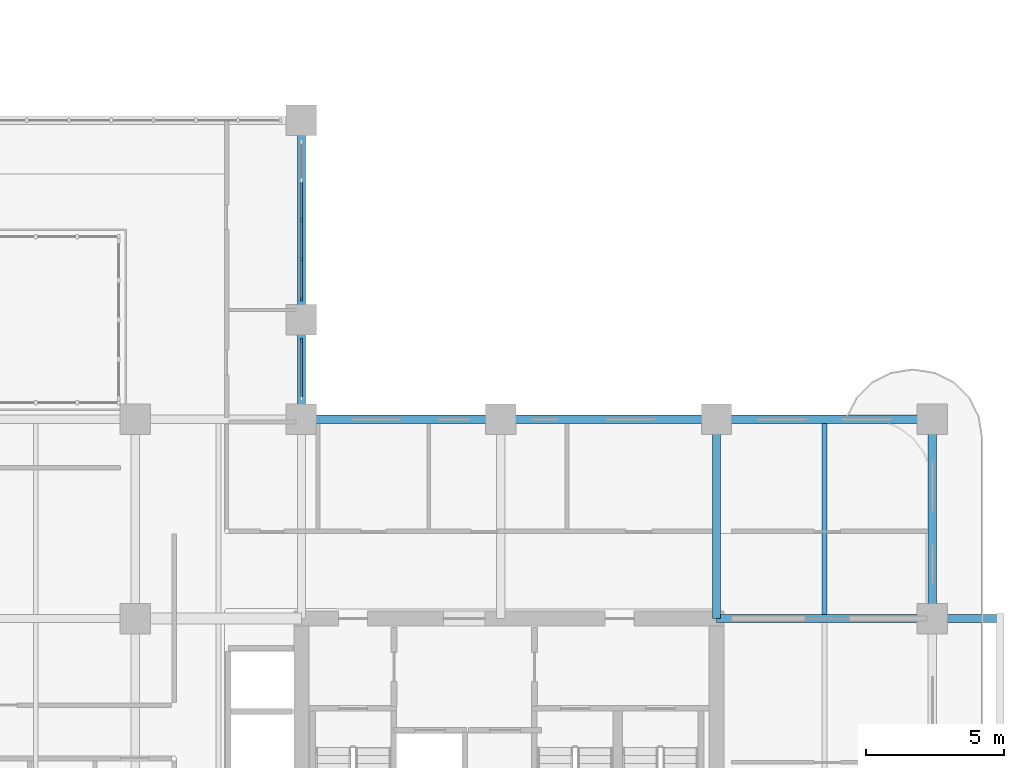
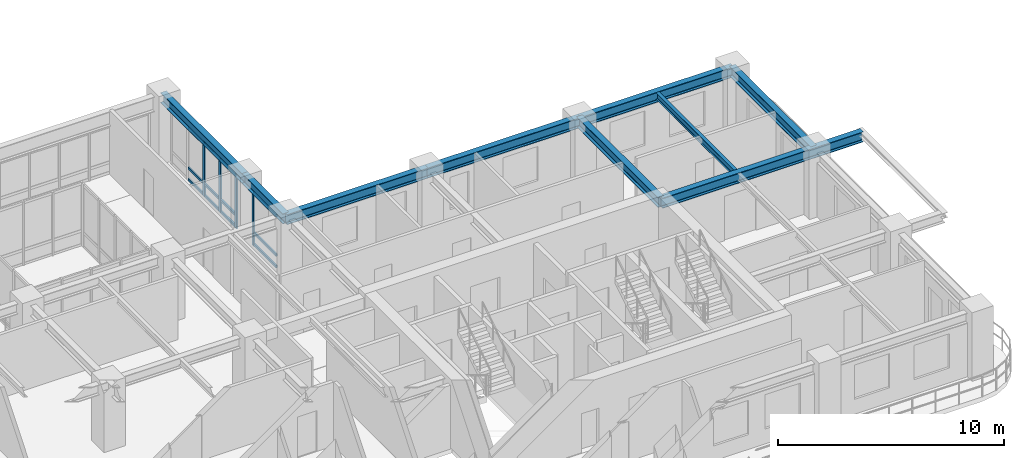
# One storey, part 5 of 22: 16 members, 9 beams, 2 elements without a shape of their own.
"""IFC4 building model written with IfcOpenShell, lengths in metres."""

from ifc_helpers import new_model, si_unit, derived_unit, direction, frame, origin, origin_2d, place, context, subcontext, project, spatial, rectangle, i_section, extrude, source, transform, mapped, material, layer, layer_set, material_profile, profile_set, type_object, type_shapes, element, aggregate, save


model = new_model("IFC4")

# Units and contexts
model_context = context("Model", 3, precision=1e-05, world=origin(), true_north=direction((0.0, 1.0)))
body_context = subcontext(model_context, "Body", "Model", "MODEL_VIEW")
ifc_project = project(units=[si_unit("LENGTHUNIT", "METRE"), si_unit("AREAUNIT", "SQUARE_METRE"), si_unit("VOLUMEUNIT", "CUBIC_METRE"), si_unit("PLANEANGLEUNIT", "RADIAN"), si_unit("MASSUNIT", "GRAM", prefix="KILO"), si_unit("THERMODYNAMICTEMPERATUREUNIT", "KELVIN"), si_unit("POWERUNIT", "WATT"), derived_unit("THERMALTRANSMITTANCEUNIT", [(si_unit("POWERUNIT", "WATT"), 1), (si_unit("AREAUNIT", "SQUARE_METRE"), -1), (si_unit("THERMODYNAMICTEMPERATUREUNIT", "KELVIN"), -1)])], contexts=[model_context])

# Site, building, storey
site_placement = place(None, origin())
site = spatial("IfcSite", under=ifc_project, at=site_placement, CompositionType="ELEMENT")
building_placement = place(site_placement, origin())
building = spatial("IfcBuilding", under=site, at=building_placement, Name="Zahravan Archway Hotel and Residences", CompositionType="ELEMENT")
storey_placement = place(building_placement, frame((0.0, 0.0, 73.10009765625)))
storey = spatial("IfcBuildingStorey", under=building, at=storey_placement, Name="L17", CompositionType="ELEMENT", Elevation=73.10009765625)

# Beams
ifc_material_1 = material(Name="Structural Steel S355JR", Category="steel")
ifc_material_profile_1 = material_profile(ifc_material_1, i_section(OverallWidth=0.300048828125, OverallDepth=0.550048828125, WebThickness=0.014892578125, FlangeThickness=0.029052734375, FilletRadius=0.027099609375, at=origin_2d()), Name="HEB 550", Category="steel")
ifc_profile_set_1 = profile_set([ifc_material_profile_1], Name="Structural Steel S355JR")
beam_type_1 = type_object("IfcBeamType", Name="BM-PRI-HEB550", PredefinedType="BEAM", material=ifc_profile_set_1)
shared_shape_1 = source(origin(), body_context, "Body", "SweptSolid", [
    extrude(i_section(OverallWidth=0.300048828125, OverallDepth=0.550048828125, WebThickness=0.014892578125, FlangeThickness=0.029052734375, FilletRadius=0.027099609375, at=origin_2d()), origin(), (0.0, 0.0, 1.0), 7.2001953125),
])
type_shapes(beam_type_1, [shared_shape_1])
for number, where, z_axis, x_axis, name in (
    (1, (49.800048828125, 14.39990234375, 3.1748046875), (0.0, 1.0, 0.0), (-1.0, 0.0, 0.0), "L17 Primary Girder NS-49"),
    (2, (57.60009765625, 14.39990234375, 3.1748046875), (0.0, 1.0, 0.0), (-1.0, 0.0, 0.0), "L17 Primary Girder NS-52"),
):
    element("IfcBeam", number, at=place(storey_placement, frame(where, z_axis=z_axis, x_axis=x_axis)), inside=storey, type_object=beam_type_1, Name=name, PredefinedType="BEAM", context=body_context, shape_type="MappedRepresentation", body=[
        mapped(shared_shape_1, transform((0.0, 0.0, 0.0), scale=1.0)),
    ])
shared_shape_2 = source(origin(), body_context, "Body", "SweptSolid", [
    extrude(i_section(OverallWidth=0.300048828125, OverallDepth=0.550048828125, WebThickness=0.014892578125, FlangeThickness=0.029052734375, FilletRadius=0.027099609375, at=origin_2d()), origin(), (0.0, 0.0, 1.0), 7.199951171875),
])
for number, where, z_axis, x_axis, name in (
    (3, (34.800048828125, 21.60009765625, 3.1748046875), (1.0, 0.0, 0.0), (0.0, 1.0, 0.0), "L17 Primary Girder EW-17"),
    (4, (34.800048828125, 25.199951171875, 3.1748046875), (0.0, 1.0, 0.0), (-1.0, 0.0, 0.0), "L17 Primary Girder NS-47"),
):
    element("IfcBeam", number, at=place(storey_placement, frame(where, z_axis=z_axis, x_axis=x_axis)), inside=storey, type_object=beam_type_1, Name=name, PredefinedType="BEAM", context=body_context, shape_type="MappedRepresentation", body=[
        mapped(shared_shape_2, transform((0.0, 0.0, 0.0), scale=1.0)),
    ])
shared_shape_3 = source(origin(), body_context, "Body", "SweptSolid", [
    extrude(i_section(OverallWidth=0.300048828125, OverallDepth=0.550048828125, WebThickness=0.014892578125, FlangeThickness=0.029052734375, FilletRadius=0.027099609375, at=origin_2d()), origin(), (0.0, 0.0, 1.0), 7.800048828125),
])
for number, where, z_axis, x_axis, name in (
    (5, (42.0, 21.60009765625, 3.1748046875), (1.0, 0.0, 0.0), (0.0, 1.0, 0.0), "L17 Primary Girder EW-18"),
    (6, (49.800048828125, 21.60009765625, 3.1748046875), (1.0, 0.0, 0.0), (0.0, 1.0, 0.0), "L17 Primary Girder EW-19"),
):
    element("IfcBeam", number, at=place(storey_placement, frame(where, z_axis=z_axis, x_axis=x_axis)), inside=storey, type_object=beam_type_1, Name=name, PredefinedType="BEAM", context=body_context, shape_type="MappedRepresentation", body=[
        mapped(shared_shape_3, transform((0.0, 0.0, 0.0), scale=1.0)),
    ])
shared_shape_4 = source(origin(), body_context, "Body", "SweptSolid", [
    extrude(i_section(OverallWidth=0.300048828125, OverallDepth=0.550048828125, WebThickness=0.014892578125, FlangeThickness=0.029052734375, FilletRadius=0.027099609375, at=origin_2d()), origin(), (0.0, 0.0, 1.0), 3.599853515625),
])
beam_1_placement = place(storey_placement, frame((34.800048828125, 21.60009765625, 3.1748046875), z_axis=(0.0, 1.0, 0.0), x_axis=(-1.0, 0.0, 0.0)))
element("IfcBeam", 7, at=beam_1_placement, inside=storey, type_object=beam_type_1, Name="L17 Primary Girder NS-46", PredefinedType="BEAM", context=body_context, shape_type="MappedRepresentation", body=[
    mapped(shared_shape_4, transform((0.0, 0.0, 0.0), scale=1.0)),
])
shared_shape_5 = source(origin(), body_context, "Body", "SweptSolid", [
    extrude(i_section(OverallWidth=0.300048828125, OverallDepth=0.550048828125, WebThickness=0.014892578125, FlangeThickness=0.029052734375, FilletRadius=0.027099609375, at=origin_2d()), origin(), (0.0, 0.0, 1.0), 10.25),
])
beam_2_placement = place(storey_placement, frame((49.800048828125, 14.39990234375, 3.1748046875), z_axis=(1.0, 0.0, 0.0), x_axis=(0.0, 1.0, 0.0)))
element("IfcBeam", 8, at=beam_2_placement, inside=storey, type_object=beam_type_1, Name="L17 Primary Girder EW-13", PredefinedType="BEAM", context=body_context, shape_type="MappedRepresentation", body=[
    mapped(shared_shape_5, transform((0.0, 0.0, 0.0), scale=1.0)),
])
ifc_material_profile_2 = material_profile(ifc_material_1, i_section(OverallWidth=0.169921875, OverallDepth=0.360107421875, WebThickness=0.008056640625, FlangeThickness=0.0126953125, FilletRadius=0.01806640625, at=origin_2d()), Name="IPE 360", Category="steel")
ifc_profile_set_2 = profile_set([ifc_material_profile_2], Name="Structural Steel S355JR")
beam_type_2 = type_object("IfcBeamType", Name="BM-JST-IPE360", PredefinedType="JOIST", material=ifc_profile_set_2)
shared_shape_6 = source(origin(), body_context, "Body", "SweptSolid", [
    extrude(i_section(OverallWidth=0.169921875, OverallDepth=0.360107421875, WebThickness=0.008056640625, FlangeThickness=0.0126953125, FilletRadius=0.01806640625, at=origin_2d()), origin(), (0.0, 0.0, 1.0), 6.90380859375),
])
beam_3_placement = place(storey_placement, frame((53.699951171875, 14.548095703125, 3.27001953125), z_axis=(0.0, 1.0, 0.0), x_axis=(-1.0, 0.0, 0.0)))
element("IfcBeam", 9, at=beam_3_placement, inside=storey, type_object=beam_type_2, Name="L17 Composite Floor Joist 12", PredefinedType="JOIST", context=body_context, shape_type="MappedRepresentation", body=[
    mapped(shared_shape_6, transform((0.0, 0.0, 0.0), scale=1.0)),
])

# Curtain wall, members
ifc_material_2 = material(Name="Bronze-Anodized Unitised Aluminium & Low-E Glass", Category="aluminium")
ifc_layer = layer(ifc_material_2, 0.179931640625, Name="Bronze-Anodized Unitised Aluminium & Low-E Glass", Category="aluminium")
ifc_layer_set = layer_set([ifc_layer], Name="Bronze-Anodized Unitised Aluminium & Low-E Glass")
curtain_wall_type = type_object("IfcCurtainWallType", Name="CW-ATR-GLAZ", PredefinedType="NOTDEFINED", material=ifc_layer_set)
curtain_wall_1_placement = place(storey_placement, origin())
curtain_wall_1 = element("IfcCurtainWall", 10, at=curtain_wall_1_placement, inside=storey, type_object=curtain_wall_type, Name="L17 Curtain Wall CW-L17-HNG-E-2", PredefinedType="NOTDEFINED")
ifc_material_3 = material(Name="Bronze-Anodized Extruded Aluminium", Category="aluminium")
ifc_material_profile_3 = material_profile(ifc_material_3, rectangle(XDim=0.080078125, YDim=0.139892578125, at=origin_2d()), Name="TRN 80x140", Category="aluminium")
ifc_profile_set_3 = profile_set([ifc_material_profile_3], Name="Bronze-Anodized Extruded Aluminium")
member_type_1 = type_object("IfcMemberType", Name="CWM-TRN-140", PredefinedType="USERDEFINED", material=ifc_profile_set_3)
shared_shape_7 = source(origin(), body_context, "Body", "SweptSolid", [
    extrude(rectangle(XDim=0.080078125, YDim=0.139892578125, at=origin_2d()), origin(), (0.0, 0.0, 1.0), 1.33984375),
])
member_1_placement = place(storey_placement, frame((34.800048828125, 28.840087890625, 0.06982421875), z_axis=(0.0, 1.0, 0.0), x_axis=(-1.0, 0.0, 0.0)))
member_1 = element("IfcMember", 11, at=member_1_placement, type_object=member_type_1, Name="CW-L17-HNG-E-2 Transom 2-1", ObjectType="TRANSOM", PredefinedType="USERDEFINED", context=body_context, shape_type="MappedRepresentation", body=[
    mapped(shared_shape_7, transform((0.0, 0.0, 0.0), scale=1.0)),
])
member_2_placement = place(storey_placement, frame((34.800048828125, 28.840087890625, 0.6923828125), z_axis=(0.0, 1.0, 0.0), x_axis=(-1.0, 0.0, 0.0)))
member_2 = element("IfcMember", 12, at=member_2_placement, type_object=member_type_1, Name="CW-L17-HNG-E-2 Transom 2-2", ObjectType="TRANSOM", PredefinedType="USERDEFINED", context=body_context, shape_type="MappedRepresentation", body=[
    mapped(shared_shape_7, transform((0.0, 0.0, 0.0), scale=1.0)),
])
member_3_placement = place(storey_placement, frame((34.800048828125, 28.840087890625, 2.81494140625), z_axis=(0.0, 1.0, 0.0), x_axis=(-1.0, 0.0, 0.0)))
member_3 = element("IfcMember", 13, at=member_3_placement, type_object=member_type_1, Name="CW-L17-HNG-E-2 Transom 2-3", ObjectType="TRANSOM", PredefinedType="USERDEFINED", context=body_context, shape_type="MappedRepresentation", body=[
    mapped(shared_shape_7, transform((0.0, 0.0, 0.0), scale=1.0)),
])
shared_shape_8 = source(origin(), body_context, "Body", "SweptSolid", [
    extrude(rectangle(XDim=0.080078125, YDim=0.139892578125, at=origin_2d()), origin(), (0.0, 0.0, 1.0), 1.340087890625),
])
member_4_placement = place(storey_placement, frame((34.800048828125, 26.0, 0.06982421875), z_axis=(0.0, 1.0, 0.0), x_axis=(-1.0, 0.0, 0.0)))
member_4 = element("IfcMember", 14, at=member_4_placement, type_object=member_type_1, Name="CW-L17-HNG-E-2 Transom 0-1", ObjectType="TRANSOM", PredefinedType="USERDEFINED", context=body_context, shape_type="MappedRepresentation", body=[
    mapped(shared_shape_8, transform((0.0, 0.0, 0.0), scale=1.0)),
])
member_5_placement = place(storey_placement, frame((34.800048828125, 26.0, 0.6923828125), z_axis=(0.0, 1.0, 0.0), x_axis=(-1.0, 0.0, 0.0)))
member_5 = element("IfcMember", 15, at=member_5_placement, type_object=member_type_1, Name="CW-L17-HNG-E-2 Transom 0-2", ObjectType="TRANSOM", PredefinedType="USERDEFINED", context=body_context, shape_type="MappedRepresentation", body=[
    mapped(shared_shape_8, transform((0.0, 0.0, 0.0), scale=1.0)),
])
member_6_placement = place(storey_placement, frame((34.800048828125, 26.0, 2.81494140625), z_axis=(0.0, 1.0, 0.0), x_axis=(-1.0, 0.0, 0.0)))
member_6 = element("IfcMember", 16, at=member_6_placement, type_object=member_type_1, Name="CW-L17-HNG-E-2 Transom 0-3", ObjectType="TRANSOM", PredefinedType="USERDEFINED", context=body_context, shape_type="MappedRepresentation", body=[
    mapped(shared_shape_8, transform((0.0, 0.0, 0.0), scale=1.0)),
])
member_7_placement = place(storey_placement, frame((34.800048828125, 27.419921875, 0.06982421875), z_axis=(0.0, 1.0, 0.0), x_axis=(-1.0, 0.0, 0.0)))
member_7 = element("IfcMember", 17, at=member_7_placement, type_object=member_type_1, Name="CW-L17-HNG-E-2 Transom 1-1", ObjectType="TRANSOM", PredefinedType="USERDEFINED", context=body_context, shape_type="MappedRepresentation", body=[
    mapped(shared_shape_8, transform((0.0, 0.0, 0.0), scale=1.0)),
])
member_8_placement = place(storey_placement, frame((34.800048828125, 27.419921875, 0.6923828125), z_axis=(0.0, 1.0, 0.0), x_axis=(-1.0, 0.0, 0.0)))
member_8 = element("IfcMember", 18, at=member_8_placement, type_object=member_type_1, Name="CW-L17-HNG-E-2 Transom 1-2", ObjectType="TRANSOM", PredefinedType="USERDEFINED", context=body_context, shape_type="MappedRepresentation", body=[
    mapped(shared_shape_8, transform((0.0, 0.0, 0.0), scale=1.0)),
])
member_9_placement = place(storey_placement, frame((34.800048828125, 27.419921875, 2.81494140625), z_axis=(0.0, 1.0, 0.0), x_axis=(-1.0, 0.0, 0.0)))
member_9 = element("IfcMember", 19, at=member_9_placement, type_object=member_type_1, Name="CW-L17-HNG-E-2 Transom 1-3", ObjectType="TRANSOM", PredefinedType="USERDEFINED", context=body_context, shape_type="MappedRepresentation", body=[
    mapped(shared_shape_8, transform((0.0, 0.0, 0.0), scale=1.0)),
])

# Curtain wall, member
curtain_wall_2_placement = place(storey_placement, origin())
curtain_wall_2 = element("IfcCurtainWall", 20, at=curtain_wall_2_placement, inside=storey, type_object=curtain_wall_type, Name="L17 Curtain Wall CW-L17-HNG-E-1", PredefinedType="NOTDEFINED")
ifc_material_profile_4 = material_profile(ifc_material_3, rectangle(XDim=0.080078125, YDim=0.159912109375, at=origin_2d()), Name="MUL 80x160", Category="aluminium")
ifc_profile_set_4 = profile_set([ifc_material_profile_4], Name="Bronze-Anodized Extruded Aluminium")
member_type_2 = type_object("IfcMemberType", Name="CWM-MUL-160", PredefinedType="MULLION", material=ifc_profile_set_4)
shared_shape_9 = source(origin(), body_context, "Body", "SweptSolid", [
    extrude(rectangle(XDim=0.080078125, YDim=0.159912109375, at=origin_2d()), origin(), (0.0, 0.0, 1.0), 2.885009765625),
])
member_10_placement = place(storey_placement, frame((34.800048828125, 24.43994140625, 0.0), z_axis=(0.0, 0.0, 1.0), x_axis=(1.0, 0.0, 0.0)))
member_10 = element("IfcMember", 21, at=member_10_placement, type_object=member_type_2, Name="CW-L17-HNG-E-1 Mullion 1", PredefinedType="MULLION", context=body_context, shape_type="MappedRepresentation", body=[
    mapped(shared_shape_9, transform((0.0, 0.0, 0.0), scale=1.0)),
])

# Member
member_11_placement = place(storey_placement, frame((34.800048828125, 25.9599609375, 0.0), z_axis=(0.0, 0.0, 1.0), x_axis=(1.0, 0.0, 0.0)))
member_11 = element("IfcMember", 22, at=member_11_placement, type_object=member_type_2, Name="CW-L17-HNG-E-2 Mullion 0", PredefinedType="MULLION", context=body_context, shape_type="MappedRepresentation", body=[
    mapped(shared_shape_9, transform((0.0, 0.0, 0.0), scale=1.0)),
])

member_12_placement = place(storey_placement, frame((34.800048828125, 27.3798828125, 0.0), z_axis=(0.0, 0.0, 1.0), x_axis=(1.0, 0.0, 0.0)))
member_12 = element("IfcMember", 23, at=member_12_placement, type_object=member_type_2, Name="CW-L17-HNG-E-2 Mullion 1", PredefinedType="MULLION", context=body_context, shape_type="MappedRepresentation", body=[
    mapped(shared_shape_9, transform((0.0, 0.0, 0.0), scale=1.0)),
])

member_13_placement = place(storey_placement, frame((34.800048828125, 28.800048828125, 0.0), z_axis=(0.0, 0.0, 1.0), x_axis=(1.0, 0.0, 0.0)))
member_13 = element("IfcMember", 24, at=member_13_placement, type_object=member_type_2, Name="CW-L17-HNG-E-2 Mullion 2", PredefinedType="MULLION", context=body_context, shape_type="MappedRepresentation", body=[
    mapped(shared_shape_9, transform((0.0, 0.0, 0.0), scale=1.0)),
])

aggregate(curtain_wall_1, [member_11, member_12, member_13, member_4, member_5, member_6, member_7, member_8, member_9, member_1, member_2, member_3])

shared_shape_10 = source(origin(), body_context, "Body", "SweptSolid", [
    extrude(rectangle(XDim=0.080078125, YDim=0.139892578125, at=origin_2d()), origin(), (0.0, 0.0, 1.0), 2.0),
])
member_14_placement = place(storey_placement, frame((34.800048828125, 22.39990234375, 0.06982421875), z_axis=(0.0, 1.0, 0.0), x_axis=(-1.0, 0.0, 0.0)))
member_14 = element("IfcMember", 25, at=member_14_placement, type_object=member_type_1, Name="CW-L17-HNG-E-1 Transom 0-1", ObjectType="TRANSOM", PredefinedType="USERDEFINED", context=body_context, shape_type="MappedRepresentation", body=[
    mapped(shared_shape_10, transform((0.0, 0.0, 0.0), scale=1.0)),
])

member_15_placement = place(storey_placement, frame((34.800048828125, 22.39990234375, 0.6923828125), z_axis=(0.0, 1.0, 0.0), x_axis=(-1.0, 0.0, 0.0)))
member_15 = element("IfcMember", 26, at=member_15_placement, type_object=member_type_1, Name="CW-L17-HNG-E-1 Transom 0-2", ObjectType="TRANSOM", PredefinedType="USERDEFINED", context=body_context, shape_type="MappedRepresentation", body=[
    mapped(shared_shape_10, transform((0.0, 0.0, 0.0), scale=1.0)),
])

member_16_placement = place(storey_placement, frame((34.800048828125, 22.39990234375, 2.81494140625), z_axis=(0.0, 1.0, 0.0), x_axis=(-1.0, 0.0, 0.0)))
member_16 = element("IfcMember", 27, at=member_16_placement, type_object=member_type_1, Name="CW-L17-HNG-E-1 Transom 0-3", ObjectType="TRANSOM", PredefinedType="USERDEFINED", context=body_context, shape_type="MappedRepresentation", body=[
    mapped(shared_shape_10, transform((0.0, 0.0, 0.0), scale=1.0)),
])

aggregate(curtain_wall_2, [member_10, member_14, member_15, member_16])

save(model, "model.ifc")
